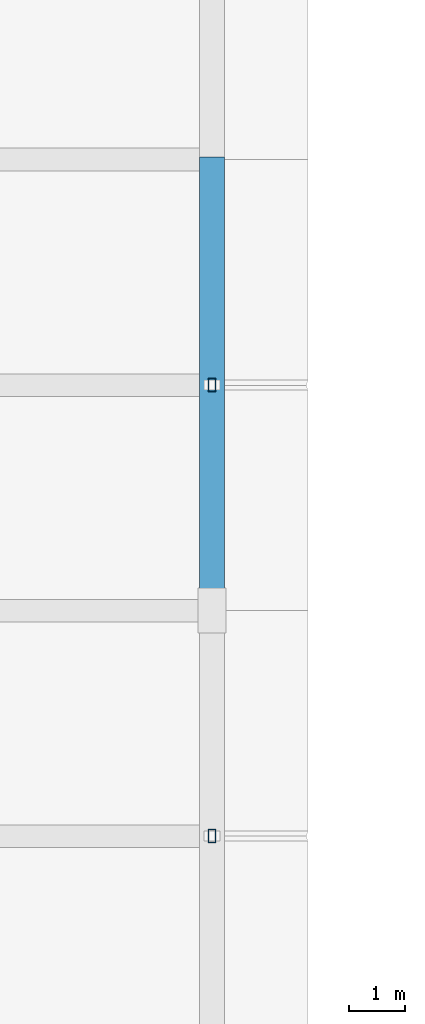
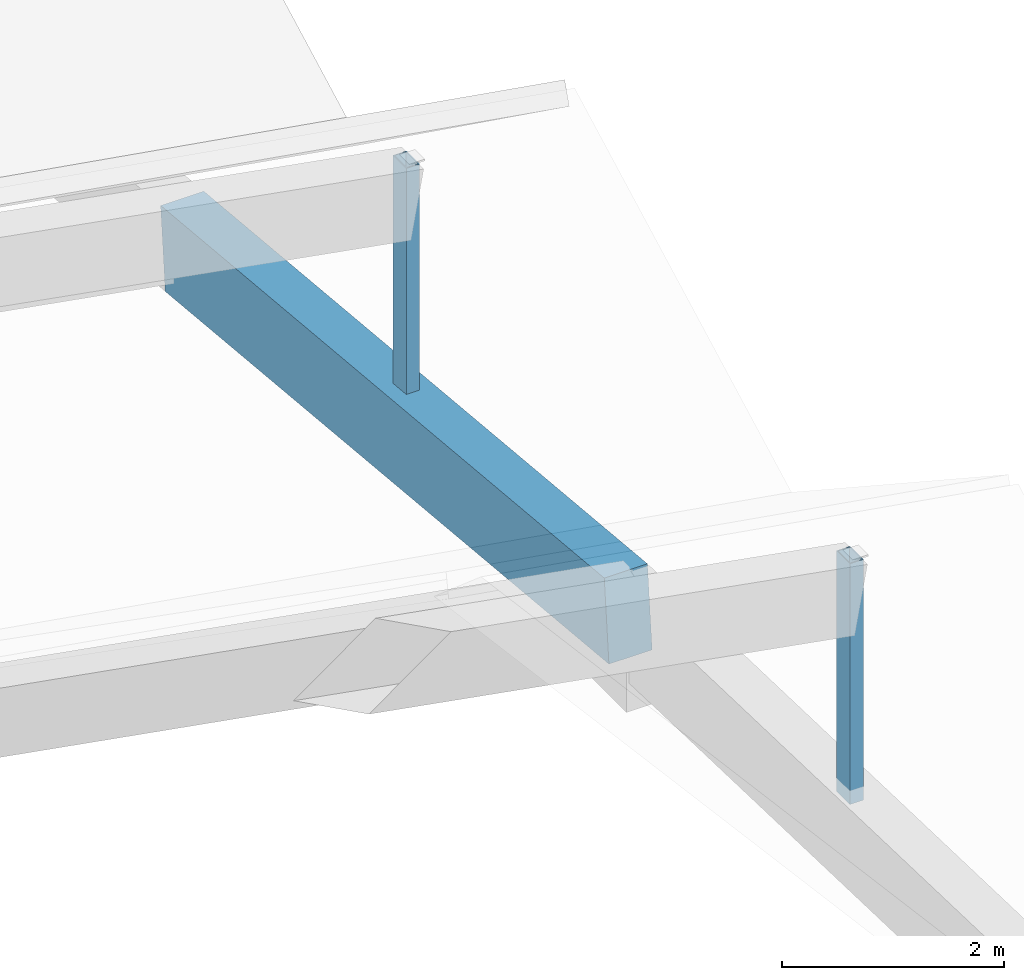
# One storey, part 38 of 109: 2 members, 1 beam.
"""IFC4 building model written with IfcOpenShell, lengths in metres."""

from ifc_helpers import new_model, si_unit, direction, frame, origin, origin_2d, place, context, subcontext, project, spatial, rectangle, hollow_rectangle, extrude, material, material_profile, profile_set, type_object, element, save


model = new_model("IFC4")

# Units and contexts
model_context = context("Model", 3, precision=1e-05, world=origin(), true_north=direction((0.0, 1.0)))
body_context = subcontext(model_context, "Body", "Model", "MODEL_VIEW")
ifc_project = project(units=[si_unit("LENGTHUNIT", "METRE"), si_unit("AREAUNIT", "SQUARE_METRE"), si_unit("VOLUMEUNIT", "CUBIC_METRE"), si_unit("PLANEANGLEUNIT", "RADIAN"), si_unit("MASSUNIT", "GRAM", prefix="KILO")], contexts=[model_context])

# Site, building, storey
site_placement = place(None, origin())
site = spatial("IfcSite", under=ifc_project, at=site_placement, CompositionType="ELEMENT")
building_placement = place(site_placement, origin())
building = spatial("IfcBuilding", under=site, at=building_placement, Name="Zavelmont Quarter", CompositionType="ELEMENT")
storey_placement = place(building_placement, frame((0.0, 0.0, 8.0)))
storey = spatial("IfcBuildingStorey", under=building, at=storey_placement, Name="L02", CompositionType="ELEMENT", Elevation=8.0)

# Beam
ifc_material_1 = material(Name="Concrete C40/50", Category="concrete")
ifc_material_profile_1 = material_profile(ifc_material_1, rectangle(XDim=0.449951171875, YDim=0.89990234375, at=origin_2d()), Name="RC450X900")
ifc_profile_set_1 = profile_set([ifc_material_profile_1], Name="Concrete C40/50")
beam_type = type_object("IfcBeamType", Name="BM06", PredefinedType="BEAM", material=ifc_profile_set_1)
beam_placement = place(storey_placement, frame((112.800048828125, 70.0, 0.7548828125), z_axis=(0.0, 0.995634226059, -0.093340708693), x_axis=(-1.0, 0.0, 0.0)))
element("IfcBeam", 1, at=beam_placement, inside=storey, type_object=beam_type, Name="L02 beam BM06 17/L to 17/M", PredefinedType="BEAM", context=body_context, shape_type="SweptSolid", body=[
    extrude(rectangle(XDim=0.449951171875, YDim=0.89990234375, at=origin_2d()), origin(), (0.0, 0.0, 1.0), 8.03515625),
])

# Members
ifc_material_2 = material(Name="Steel S355", Category="steel")
ifc_material_profile_2 = material_profile(ifc_material_2, hollow_rectangle(XDim=0.139892578125, YDim=0.239990234375, WallThickness=0.010009765625, at=origin_2d()), Name="RHS 240X140X10")
ifc_profile_set_2 = profile_set([ifc_material_profile_2], Name="Steel S355")
member_type = type_object("IfcMemberType", Name="CLM1", PredefinedType="CHORD", material=ifc_profile_set_2)
for number, where, z_axis, x_axis, name in (
    (2, (112.800048828125, 66.0, 1.179931640625), (0.0, 0.0, 1.0), (1.0, 0.0, 0.0), "L02 member CLM1 17/K to 17/K"),
    (3, (112.800048828125, 74.0, 0.679931640625), (0.0, 0.0, 1.0), (1.0, 0.0, 0.0), "L02 member CLM1 17/L to 17/L"),
):
    element("IfcMember", number, at=place(storey_placement, frame(where, z_axis=z_axis, x_axis=x_axis)), inside=storey, type_object=member_type, Name=name, PredefinedType="CHORD", context=body_context, shape_type="SweptSolid", body=[
        extrude(hollow_rectangle(XDim=0.139892578125, YDim=0.239990234375, WallThickness=0.010009765625, at=origin_2d()), origin(), (0.0, 0.0, 1.0), 2.650146484375),
    ])

save(model, "model.ifc")
